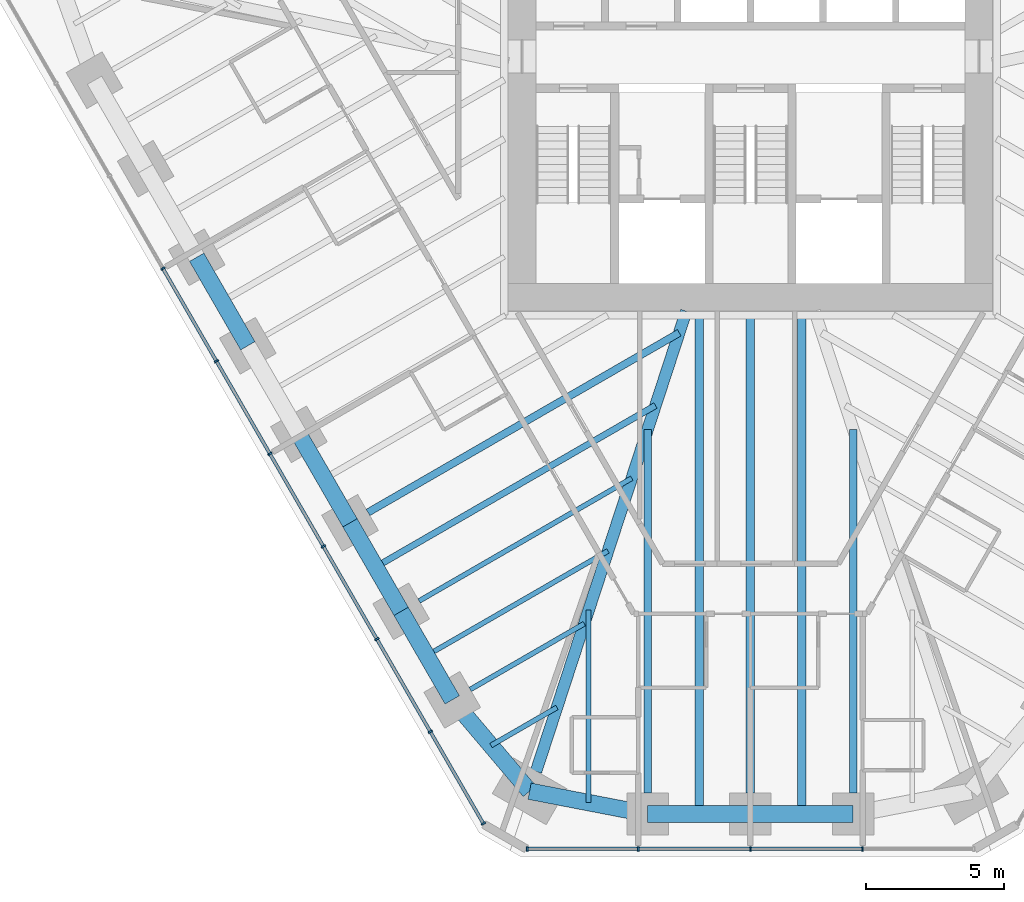
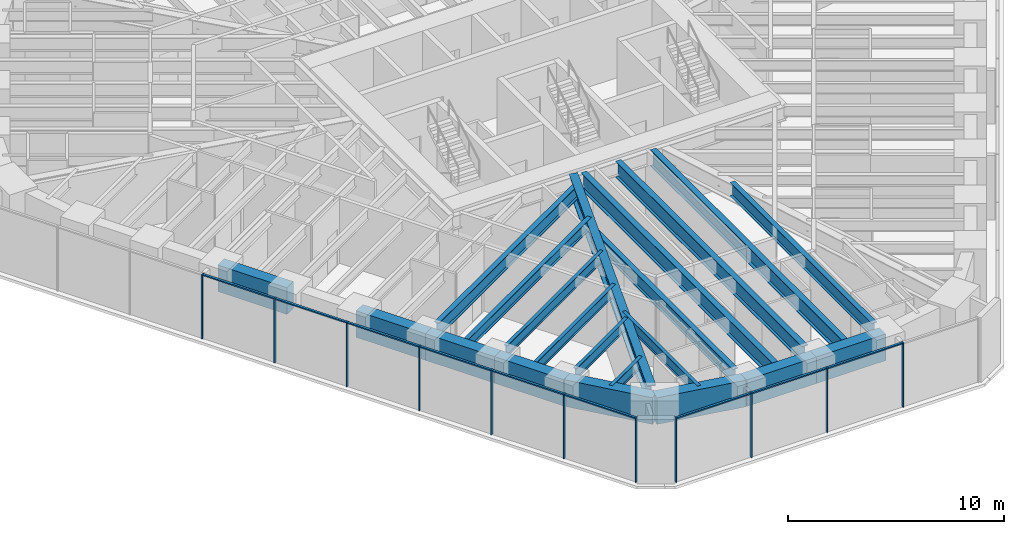
# One storey, part 2 of 17: 21 beams, 20 members, 2 elements without a shape of their own.
"""IFC4 building model written with IfcOpenShell, lengths in metres."""

from ifc_helpers import new_model, si_unit, direction, frame, origin, origin_2d, place, context, subcontext, project, spatial, rectangle, i_section, extrude, material, material_profile, profile_set, type_object, element, aggregate, save


model = new_model("IFC4")

# Units and contexts
model_context = context("Model", 3, precision=1e-05, world=origin(), true_north=direction((0.0, 1.0)))
body_context = subcontext(model_context, "Body", "Model", "MODEL_VIEW")
ifc_project = project(units=[si_unit("LENGTHUNIT", "METRE"), si_unit("AREAUNIT", "SQUARE_METRE"), si_unit("VOLUMEUNIT", "CUBIC_METRE"), si_unit("PLANEANGLEUNIT", "RADIAN"), si_unit("MASSUNIT", "GRAM", prefix="KILO")], contexts=[model_context])

# Site, building, storey
site_placement = place(None, origin())
site = spatial("IfcSite", under=ifc_project, at=site_placement, CompositionType="ELEMENT")
building_placement = place(site_placement, origin())
building = spatial("IfcBuilding", under=site, at=building_placement, Name="Sandreach Pilgrim Tower", CompositionType="ELEMENT")
storey_placement = place(building_placement, frame((0.0, 0.0, 198.39990234375)))
storey = spatial("IfcBuildingStorey", under=building, at=storey_placement, Name="L49", CompositionType="ELEMENT", Elevation=198.39990234375)

# Curtain wall, members
ifc_material_1 = material(Name="Aluminium framed curtain wall", Category="aluminium")
curtain_wall_type = type_object("IfcCurtainWallType", Name="Upper hotel tower curtain wall", PredefinedType="NOTDEFINED", material=ifc_material_1)
curtain_wall_1_placement = place(storey_placement, origin())
curtain_wall_1 = element("IfcCurtainWall", 1, at=curtain_wall_1_placement, inside=storey, type_object=curtain_wall_type, Name="CW-3 L49 S", PredefinedType="NOTDEFINED")
ifc_material_2 = material(Name="Aluminium extrusion", Category="aluminium")
ifc_material_profile_1 = material_profile(ifc_material_2, rectangle(XDim=0.06494140625, YDim=0.159912109375, at=origin_2d()), Name="CW-3M 65X160")
ifc_profile_set_1 = profile_set([ifc_material_profile_1], Name="Aluminium extrusion")
member_type_1 = type_object("IfcMemberType", Name="CW-3 mullion", PredefinedType="MULLION", material=ifc_profile_set_1)
member_1_placement = place(storey_placement, frame((4.048583984375, -26.525146484375, 0.0), z_axis=(0.0, 0.0, 1.0), x_axis=(-1.0, 0.0, 0.0)))
member_1 = element("IfcMember", 2, at=member_1_placement, type_object=member_type_1, Name="CW-3 mullion 2", PredefinedType="MULLION", context=body_context, shape_type="SweptSolid", body=[
    extrude(rectangle(XDim=0.06494140625, YDim=0.159912109375, at=origin_2d()), origin(), (0.0, 0.0, 1.0), 3.64013671875),
])
member_2_placement = place(storey_placement, frame((0.0, -26.525146484375, 0.0), z_axis=(0.0, 0.0, 1.0), x_axis=(-1.0, 0.0, 0.0)))
member_2 = element("IfcMember", 3, at=member_2_placement, type_object=member_type_1, Name="CW-3 mullion 3", PredefinedType="MULLION", context=body_context, shape_type="SweptSolid", body=[
    extrude(rectangle(XDim=0.06494140625, YDim=0.159912109375, at=origin_2d()), origin(), (0.0, 0.0, 1.0), 3.64013671875),
])
member_3_placement = place(storey_placement, frame((-4.048583984375, -26.525146484375, 0.0), z_axis=(0.0, 0.0, 1.0), x_axis=(-1.0, 0.0, 0.0)))
member_3 = element("IfcMember", 4, at=member_3_placement, type_object=member_type_1, Name="CW-3 mullion 4", PredefinedType="MULLION", context=body_context, shape_type="SweptSolid", body=[
    extrude(rectangle(XDim=0.06494140625, YDim=0.159912109375, at=origin_2d()), origin(), (0.0, 0.0, 1.0), 3.64013671875),
])
member_4_placement = place(storey_placement, frame((-8.06494140625, -26.525146484375, 0.0), z_axis=(0.0, 0.0, 1.0), x_axis=(-1.0, 0.0, 0.0)))
member_4 = element("IfcMember", 5, at=member_4_placement, type_object=member_type_1, Name="CW-3 mullion 5", PredefinedType="MULLION", context=body_context, shape_type="SweptSolid", body=[
    extrude(rectangle(XDim=0.06494140625, YDim=0.159912109375, at=origin_2d()), origin(), (0.0, 0.0, 1.0), 3.64013671875),
])

curtain_wall_2_placement = place(storey_placement, origin())
curtain_wall_2 = element("IfcCurtainWall", 6, at=curtain_wall_2_placement, inside=storey, type_object=curtain_wall_type, Name="CW-3 L49 SW", PredefinedType="NOTDEFINED")
member_5_placement = place(storey_placement, frame((-9.646484375, -25.612060546875, 0.0), z_axis=(0.0, 0.0, 1.0), x_axis=(-0.5, 0.866025403784, 0.0)))
member_5 = element("IfcMember", 7, at=member_5_placement, type_object=member_type_1, Name="CW-3 mullion 1", PredefinedType="MULLION", context=body_context, shape_type="SweptSolid", body=[
    extrude(rectangle(XDim=0.06494140625, YDim=0.159912109375, at=origin_2d()), origin(), (0.0, 0.0, 1.0), 3.64013671875),
])
member_6_placement = place(storey_placement, frame((-11.5625, -22.29345703125, 0.0), z_axis=(0.0, 0.0, 1.0), x_axis=(-0.5, 0.866025403784, 0.0)))
member_6 = element("IfcMember", 8, at=member_6_placement, type_object=member_type_1, Name="CW-3 mullion 2", PredefinedType="MULLION", context=body_context, shape_type="SweptSolid", body=[
    extrude(rectangle(XDim=0.06494140625, YDim=0.159912109375, at=origin_2d()), origin(), (0.0, 0.0, 1.0), 3.64013671875),
])
member_7_placement = place(storey_placement, frame((-13.49462890625, -18.94677734375, 0.0), z_axis=(0.0, 0.0, 1.0), x_axis=(-0.5, 0.866025403784, 0.0)))
member_7 = element("IfcMember", 9, at=member_7_placement, type_object=member_type_1, Name="CW-3 mullion 3", PredefinedType="MULLION", context=body_context, shape_type="SweptSolid", body=[
    extrude(rectangle(XDim=0.06494140625, YDim=0.159912109375, at=origin_2d()), origin(), (0.0, 0.0, 1.0), 3.64013671875),
])
member_8_placement = place(storey_placement, frame((-15.4267578125, -15.60009765625, 0.0), z_axis=(0.0, 0.0, 1.0), x_axis=(-0.5, 0.866025403784, 0.0)))
member_8 = element("IfcMember", 10, at=member_8_placement, type_object=member_type_1, Name="CW-3 mullion 4", PredefinedType="MULLION", context=body_context, shape_type="SweptSolid", body=[
    extrude(rectangle(XDim=0.06494140625, YDim=0.159912109375, at=origin_2d()), origin(), (0.0, 0.0, 1.0), 3.64013671875),
])
member_9_placement = place(storey_placement, frame((-17.359130859375, -12.25341796875, 0.0), z_axis=(0.0, 0.0, 1.0), x_axis=(-0.5, 0.866025403784, 0.0)))
member_9 = element("IfcMember", 11, at=member_9_placement, type_object=member_type_1, Name="CW-3 mullion 5", PredefinedType="MULLION", context=body_context, shape_type="SweptSolid", body=[
    extrude(rectangle(XDim=0.06494140625, YDim=0.159912109375, at=origin_2d()), origin(), (0.0, 0.0, 1.0), 3.64013671875),
])
member_10_placement = place(storey_placement, frame((-19.291259765625, -8.90673828125, 0.0), z_axis=(0.0, 0.0, 1.0), x_axis=(-0.5, 0.866025403784, 0.0)))
member_10 = element("IfcMember", 12, at=member_10_placement, type_object=member_type_1, Name="CW-3 mullion 6", PredefinedType="MULLION", context=body_context, shape_type="SweptSolid", body=[
    extrude(rectangle(XDim=0.06494140625, YDim=0.159912109375, at=origin_2d()), origin(), (0.0, 0.0, 1.0), 3.64013671875),
])
member_11_placement = place(storey_placement, frame((-21.223388671875, -5.56005859375, 0.0), z_axis=(0.0, 0.0, 1.0), x_axis=(-0.5, 0.866025403784, 0.0)))
member_11 = element("IfcMember", 13, at=member_11_placement, type_object=member_type_1, Name="CW-3 mullion 7", PredefinedType="MULLION", context=body_context, shape_type="SweptSolid", body=[
    extrude(rectangle(XDim=0.06494140625, YDim=0.159912109375, at=origin_2d()), origin(), (0.0, 0.0, 1.0), 3.64013671875),
])

# Member
ifc_material_3 = material(Name="Aluminium extrusion", Category="aluminium")
ifc_material_profile_2 = material_profile(ifc_material_3, rectangle(XDim=0.1201171875, YDim=0.070068359375, at=origin_2d()), Name="CW-3T 120X70")
ifc_profile_set_2 = profile_set([ifc_material_profile_2], Name="Aluminium extrusion")
member_type_2 = type_object("IfcMemberType", Name="CW-3 transom", PredefinedType="USERDEFINED", material=ifc_profile_set_2)
member_12_placement = place(storey_placement, frame((4.01611328125, -26.525146484375, 3.60498046875), z_axis=(-1.0, 0.0, 0.0), x_axis=(0.0, -1.0, 0.0)))
member_12 = element("IfcMember", 14, at=member_12_placement, type_object=member_type_2, Name="CW-3 head transom 2", ObjectType="TRANSOM", PredefinedType="USERDEFINED", context=body_context, shape_type="SweptSolid", body=[
    extrude(rectangle(XDim=0.1201171875, YDim=0.070068359375, at=origin_2d()), origin(), (0.0, 0.0, 1.0), 3.983642578125),
])

member_13_placement = place(storey_placement, frame((-0.032470703125, -26.525146484375, 3.60498046875), z_axis=(-1.0, 0.0, 0.0), x_axis=(0.0, -1.0, 0.0)))
member_13 = element("IfcMember", 15, at=member_13_placement, type_object=member_type_2, Name="CW-3 head transom 3", ObjectType="TRANSOM", PredefinedType="USERDEFINED", context=body_context, shape_type="SweptSolid", body=[
    extrude(rectangle(XDim=0.1201171875, YDim=0.070068359375, at=origin_2d()), origin(), (0.0, 0.0, 1.0), 3.983642578125),
])

member_14_placement = place(storey_placement, frame((-4.081298828125, -26.525146484375, 3.60498046875), z_axis=(-1.0, 0.0, 0.0), x_axis=(0.0, -1.0, 0.0)))
member_14 = element("IfcMember", 16, at=member_14_placement, type_object=member_type_2, Name="CW-3 head transom 4", ObjectType="TRANSOM", PredefinedType="USERDEFINED", context=body_context, shape_type="SweptSolid", body=[
    extrude(rectangle(XDim=0.1201171875, YDim=0.070068359375, at=origin_2d()), origin(), (0.0, 0.0, 1.0), 3.951171875),
])

aggregate(curtain_wall_1, [member_1, member_2, member_3, member_4, member_12, member_13, member_14])

member_15_placement = place(storey_placement, frame((-9.662841796875, -25.583740234375, 3.60498046875), z_axis=(-0.499973055223, 0.8660409598, 0.0), x_axis=(-0.8660409598, -0.499973055223, 0.0)))
member_15 = element("IfcMember", 17, at=member_15_placement, type_object=member_type_2, Name="CW-3 head transom 1", ObjectType="TRANSOM", PredefinedType="USERDEFINED", context=body_context, shape_type="SweptSolid", body=[
    extrude(rectangle(XDim=0.1201171875, YDim=0.070068359375, at=origin_2d()), origin(), (0.0, 0.0, 1.0), 3.766845703125),
])

member_16_placement = place(storey_placement, frame((-11.57861328125, -22.265380859375, 3.60498046875), z_axis=(-0.500022797313, 0.86601224135, 0.0), x_axis=(-0.86601224135, -0.500022797313, 0.0)))
member_16 = element("IfcMember", 18, at=member_16_placement, type_object=member_type_2, Name="CW-3 head transom 2", ObjectType="TRANSOM", PredefinedType="USERDEFINED", context=body_context, shape_type="SweptSolid", body=[
    extrude(rectangle(XDim=0.1201171875, YDim=0.070068359375, at=origin_2d()), origin(), (0.0, 0.0, 1.0), 3.799560546875),
])

member_17_placement = place(storey_placement, frame((-13.510986328125, -18.918701171875, 3.60498046875), z_axis=(-0.499974606132, 0.866040064445, 0.0), x_axis=(-0.866040064445, -0.499974606132, 0.0)))
member_17 = element("IfcMember", 19, at=member_17_placement, type_object=member_type_2, Name="CW-3 head transom 3", ObjectType="TRANSOM", PredefinedType="USERDEFINED", context=body_context, shape_type="SweptSolid", body=[
    extrude(rectangle(XDim=0.1201171875, YDim=0.070068359375, at=origin_2d()), origin(), (0.0, 0.0, 1.0), 3.799560546875),
])

member_18_placement = place(storey_placement, frame((-15.443115234375, -15.572021484375, 3.60498046875), z_axis=(-0.499974606132, 0.866040064445, 0.0), x_axis=(-0.866040064445, -0.499974606132, 0.0)))
member_18 = element("IfcMember", 20, at=member_18_placement, type_object=member_type_2, Name="CW-3 head transom 4", ObjectType="TRANSOM", PredefinedType="USERDEFINED", context=body_context, shape_type="SweptSolid", body=[
    extrude(rectangle(XDim=0.1201171875, YDim=0.070068359375, at=origin_2d()), origin(), (0.0, 0.0, 1.0), 3.799560546875),
])

member_19_placement = place(storey_placement, frame((-17.375244140625, -12.225341796875, 3.60498046875), z_axis=(-0.500022797313, 0.86601224135, 0.0), x_axis=(-0.86601224135, -0.500022797313, 0.0)))
member_19 = element("IfcMember", 21, at=member_19_placement, type_object=member_type_2, Name="CW-3 head transom 5", ObjectType="TRANSOM", PredefinedType="USERDEFINED", context=body_context, shape_type="SweptSolid", body=[
    extrude(rectangle(XDim=0.1201171875, YDim=0.070068359375, at=origin_2d()), origin(), (0.0, 0.0, 1.0), 3.799560546875),
])

member_20_placement = place(storey_placement, frame((-19.3076171875, -8.878662109375, 3.60498046875), z_axis=(-0.499974606132, 0.866040064445, 0.0), x_axis=(-0.866040064445, -0.499974606132, 0.0)))
member_20 = element("IfcMember", 22, at=member_20_placement, type_object=member_type_2, Name="CW-3 head transom 6", ObjectType="TRANSOM", PredefinedType="USERDEFINED", context=body_context, shape_type="SweptSolid", body=[
    extrude(rectangle(XDim=0.1201171875, YDim=0.070068359375, at=origin_2d()), origin(), (0.0, 0.0, 1.0), 3.799560546875),
])

aggregate(curtain_wall_2, [member_5, member_6, member_7, member_8, member_9, member_10, member_11, member_15, member_16, member_17, member_18, member_19, member_20])

# Beams
ifc_material_4 = material(Name="Steel ASTM A992 Grade 50", Category="steel")
ifc_material_profile_3 = material_profile(ifc_material_4, i_section(OverallWidth=0.421630859375, OverallDepth=0.95751953125, WebThickness=0.02587890625, FlangeThickness=0.046875, at=origin_2d()), Name="W36X330")
ifc_profile_set_3 = profile_set([ifc_material_profile_3], Name="Steel ASTM A992 Grade 50")
beam_type_1 = type_object("IfcBeamType", Name="Corner girder W36X330", PredefinedType="BEAM", material=ifc_profile_set_3)
beam_1_placement = place(storey_placement, frame((-7.745849609375, -23.72900390625, 3.161376953125), z_axis=(0.310317870968, 0.950632851819, 0.0), x_axis=(-0.950632851819, 0.310317870968, 0.0)))
element("IfcBeam", 23, at=beam_1_placement, inside=storey, type_object=beam_type_1, Name="BM L49 CG26", PredefinedType="BEAM", context=body_context, shape_type="SweptSolid", body=[
    extrude(i_section(OverallWidth=0.421630859375, OverallDepth=0.95751953125, WebThickness=0.02587890625, FlangeThickness=0.046875, at=origin_2d()), origin(), (0.0, 0.0, 1.0), 17.492431640625),
])
ifc_material_5 = material(Name="Steel ASTM A992 Grade 50", Category="steel")
ifc_material_profile_4 = material_profile(ifc_material_5, i_section(OverallWidth=0.1787109375, OverallDepth=0.60205078125, WebThickness=0.010986328125, FlangeThickness=0.014892578125, at=origin_2d()), Name="W24X62")
ifc_profile_set_4 = profile_set([ifc_material_profile_4], Name="Steel ASTM A992 Grade 50")
beam_type_2 = type_object("IfcBeamType", Name="Floor beam W24X62", PredefinedType="BEAM", material=ifc_profile_set_4)
beam_2_placement = place(storey_placement, frame((-10.12255859375, -20.767333984375, 3.339111328125), z_axis=(0.86603347311, 0.499986023258, 0.0), x_axis=(-0.499986023258, 0.86603347311, 0.0)))
element("IfcBeam", 24, at=beam_2_placement, inside=storey, type_object=beam_type_2, Name="BM L49 F27", PredefinedType="BEAM", context=body_context, shape_type="SweptSolid", body=[
    extrude(i_section(OverallWidth=0.1787109375, OverallDepth=0.60205078125, WebThickness=0.010986328125, FlangeThickness=0.014892578125, at=origin_2d()), origin(), (0.0, 0.0, 1.0), 4.757568359375),
])
beam_3_placement = place(storey_placement, frame((-11.96875, -17.569580078125, 3.339111328125), z_axis=(0.866020566617, 0.500008378126, 0.0), x_axis=(-0.500008378126, 0.866020566617, 0.0)))
element("IfcBeam", 25, at=beam_3_placement, inside=storey, type_object=beam_type_2, Name="BM L49 F28", PredefinedType="BEAM", context=body_context, shape_type="SweptSolid", body=[
    extrude(i_section(OverallWidth=0.1787109375, OverallDepth=0.60205078125, WebThickness=0.010986328125, FlangeThickness=0.014892578125, at=origin_2d()), origin(), (0.0, 0.0, 1.0), 8.869384765625),
])
beam_4_placement = place(storey_placement, frame((-5.844482421875, -24.853515625, 3.339111328125), z_axis=(0.0, 1.0, 0.0), x_axis=(-1.0, 0.0, 0.0)))
element("IfcBeam", 26, at=beam_4_placement, inside=storey, type_object=beam_type_2, Name="BM L49 FM25", PredefinedType="BEAM", context=body_context, shape_type="SweptSolid", body=[
    extrude(i_section(OverallWidth=0.1787109375, OverallDepth=0.60205078125, WebThickness=0.010986328125, FlangeThickness=0.014892578125, at=origin_2d()), origin(), (0.0, 0.0, 1.0), 6.94921875),
])
beam_5_placement = place(storey_placement, frame((-9.375244140625, -22.7919921875, 3.339111328125), z_axis=(0.866046803606, 0.49996293259, 0.0), x_axis=(-0.49996293259, 0.866046803606, 0.0)))
element("IfcBeam", 27, at=beam_5_placement, inside=storey, type_object=beam_type_2, Name="BM L49 FM26", PredefinedType="BEAM", context=body_context, shape_type="SweptSolid", body=[
    extrude(i_section(OverallWidth=0.1787109375, OverallDepth=0.60205078125, WebThickness=0.010986328125, FlangeThickness=0.014892578125, at=origin_2d()), origin(), (0.0, 0.0, 1.0), 2.753662109375),
])
beam_6_placement = place(storey_placement, frame((-11.6953125, -19.54345703125, 3.339111328125), z_axis=(0.866029704776, 0.49999255039, 0.0), x_axis=(-0.49999255039, 0.866029704776, 0.0)))
element("IfcBeam", 28, at=beam_6_placement, inside=storey, type_object=beam_type_2, Name="BM L49 FM27", PredefinedType="BEAM", context=body_context, shape_type="SweptSolid", body=[
    extrude(i_section(OverallWidth=0.1787109375, OverallDepth=0.60205078125, WebThickness=0.010986328125, FlangeThickness=0.014892578125, at=origin_2d()), origin(), (0.0, 0.0, 1.0), 7.5634765625),
])
ifc_material_6 = material(Name="Steel ASTM A992 Grade 50", Category="steel")
ifc_material_profile_5 = material_profile(ifc_material_6, i_section(OverallWidth=0.23046875, OverallDepth=0.6171875, WebThickness=0.01318359375, FlangeThickness=0.022216796875, at=origin_2d()), Name="W24X94")
ifc_profile_set_5 = profile_set([ifc_material_profile_5], Name="Steel ASTM A992 Grade 50")
beam_type_3 = type_object("IfcBeamType", Name="Floor beam W24X94", PredefinedType="BEAM", material=ifc_profile_set_5)
beam_7_placement = place(storey_placement, frame((-13.54150390625, -16.345703125, 3.33154296875), z_axis=(0.866026454974, 0.499998179282, 0.0), x_axis=(-0.499998179282, 0.866026454974, 0.0)))
element("IfcBeam", 29, at=beam_7_placement, inside=storey, type_object=beam_type_3, Name="BM L49 FM28", PredefinedType="BEAM", context=body_context, shape_type="SweptSolid", body=[
    extrude(i_section(OverallWidth=0.23046875, OverallDepth=0.6171875, WebThickness=0.01318359375, FlangeThickness=0.022216796875, at=origin_2d()), origin(), (0.0, 0.0, 1.0), 11.67578125),
])
ifc_material_7 = material(Name="Steel ASTM A992 Grade 50", Category="steel")
ifc_material_profile_6 = material_profile(ifc_material_7, i_section(OverallWidth=0.2666015625, OverallDepth=0.761962890625, WebThickness=0.014404296875, FlangeThickness=0.021484375, at=origin_2d()), Name="W30X116")
ifc_profile_set_6 = profile_set([ifc_material_profile_6], Name="Steel ASTM A992 Grade 50")
beam_type_4 = type_object("IfcBeamType", Name="Floor beam W30X116", PredefinedType="BEAM", material=ifc_profile_set_6)
for number, where, z_axis, x_axis, name in (
    (30, (3.71044921875, -24.51513671875, 3.259033203125), (0.0, 1.0, 0.0), (-1.0, 0.0, 0.0), "BM L49 F23"),
    (31, (-3.71044921875, -24.51513671875, 3.259033203125), (0.0, 1.0, 0.0), (-1.0, 0.0, 0.0), "BM L49 F25"),
):
    element("IfcBeam", number, at=place(storey_placement, frame(where, z_axis=z_axis, x_axis=x_axis)), inside=storey, type_object=beam_type_4, Name=name, PredefinedType="BEAM", context=body_context, shape_type="SweptSolid", body=[
        extrude(i_section(OverallWidth=0.2666015625, OverallDepth=0.761962890625, WebThickness=0.014404296875, FlangeThickness=0.021484375, at=origin_2d()), origin(), (0.0, 0.0, 1.0), 13.1484375),
    ])
beam_8_placement = place(storey_placement, frame((-13.815185546875, -14.371826171875, 3.259033203125), z_axis=(0.866025240073, 0.500000283557, 0.0), x_axis=(-0.500000283557, 0.866025240073, 0.0)))
element("IfcBeam", 32, at=beam_8_placement, inside=storey, type_object=beam_type_4, Name="BM L49 F29", PredefinedType="BEAM", context=body_context, shape_type="SweptSolid", body=[
    extrude(i_section(OverallWidth=0.2666015625, OverallDepth=0.761962890625, WebThickness=0.014404296875, FlangeThickness=0.021484375, at=origin_2d()), origin(), (0.0, 0.0, 1.0), 12.98193359375),
])
ifc_material_8 = material(Name="Steel ASTM A992 Grade 50", Category="steel")
ifc_material_profile_7 = material_profile(ifc_material_8, i_section(OverallWidth=0.3046875, OverallDepth=0.914306640625, WebThickness=0.0166015625, FlangeThickness=0.02587890625, at=origin_2d()), Name="W36X160")
ifc_profile_set_7 = profile_set([ifc_material_profile_7], Name="Steel ASTM A992 Grade 50")
beam_type_5 = type_object("IfcBeamType", Name="Floor beam W36X160", PredefinedType="BEAM", material=ifc_profile_set_7)
beam_9_placement = place(storey_placement, frame((0.0, -24.51513671875, 3.182861328125), z_axis=(0.0, 1.0, 0.0), x_axis=(-1.0, 0.0, 0.0)))
element("IfcBeam", 33, at=beam_9_placement, inside=storey, type_object=beam_type_5, Name="BM L49 F24", PredefinedType="BEAM", context=body_context, shape_type="SweptSolid", body=[
    extrude(i_section(OverallWidth=0.3046875, OverallDepth=0.914306640625, WebThickness=0.0166015625, FlangeThickness=0.02587890625, at=origin_2d()), origin(), (0.0, 0.0, 1.0), 17.271728515625),
])
for number, where, z_axis, x_axis, name in (
    (34, (1.855224609375, -25.26513671875, 3.182861328125), (0.0, 1.0, 0.0), (-1.0, 0.0, 0.0), "BM L49 FM23"),
    (35, (-1.855224609375, -25.26513671875, 3.182861328125), (0.0, 1.0, 0.0), (-1.0, 0.0, 0.0), "BM L49 FM24"),
):
    element("IfcBeam", number, at=place(storey_placement, frame(where, z_axis=z_axis, x_axis=x_axis)), inside=storey, type_object=beam_type_5, Name=name, PredefinedType="BEAM", context=body_context, shape_type="SweptSolid", body=[
        extrude(i_section(OverallWidth=0.3046875, OverallDepth=0.914306640625, WebThickness=0.0166015625, FlangeThickness=0.02587890625, at=origin_2d()), origin(), (0.0, 0.0, 1.0), 18.021728515625),
    ])
ifc_material_9 = material(Name="Concrete 10000 psi", Category="concrete")
ifc_material_profile_8 = material_profile(ifc_material_9, rectangle(XDim=0.60009765625, YDim=1.5, at=origin_2d()), Name="RC600X1500")
ifc_profile_set_8 = profile_set([ifc_material_profile_8], Name="Concrete 10000 psi")
beam_type_6 = type_object("IfcBeamType", Name="Spandrel beam RC600X1500", PredefinedType="SPANDREL", material=ifc_profile_set_8)
for number, where, z_axis, x_axis, name in (
    (36, (3.71044921875, -25.26513671875, 2.89013671875), (-1.0, 0.0, 0.0), (0.0, -1.0, 0.0), "BM L49 SP23"),
    (37, (0.0, -25.26513671875, 2.89013671875), (-1.0, 0.0, 0.0), (0.0, -1.0, 0.0), "BM L49 SP24"),
):
    element("IfcBeam", number, at=place(storey_placement, frame(where, z_axis=z_axis, x_axis=x_axis)), inside=storey, type_object=beam_type_6, Name=name, PredefinedType="SPANDREL", context=body_context, shape_type="SweptSolid", body=[
        extrude(rectangle(XDim=0.60009765625, YDim=1.5, at=origin_2d()), origin(), (0.0, 0.0, 1.0), 3.71044921875),
    ])
beam_10_placement = place(storey_placement, frame((-3.71044921875, -25.26513671875, 2.89013671875), z_axis=(-0.981901333807, 0.18939316426, 0.0), x_axis=(-0.18939316426, -0.981901333807, 0.0)))
element("IfcBeam", 38, at=beam_10_placement, inside=storey, type_object=beam_type_6, Name="BM L49 SP25", PredefinedType="SPANDREL", context=body_context, shape_type="SweptSolid", body=[
    extrude(rectangle(XDim=0.60009765625, YDim=1.5, at=origin_2d()), origin(), (0.0, 0.0, 1.0), 4.3466796875),
])
beam_11_placement = place(storey_placement, frame((-7.978515625, -24.44189453125, 2.89013671875), z_axis=(-0.646180160755, 0.76318490541, 0.0), x_axis=(-0.76318490541, -0.646180160755, 0.0)))
element("IfcBeam", 39, at=beam_11_placement, inside=storey, type_object=beam_type_6, Name="BM L49 SP26", PredefinedType="SPANDREL", context=body_context, shape_type="SweptSolid", body=[
    extrude(rectangle(XDim=0.60009765625, YDim=1.5, at=origin_2d()), origin(), (0.0, 0.0, 1.0), 4.323486328125),
])
for number, where, z_axis, x_axis, name in (
    (40, (-10.772216796875, -21.142333984375, 2.89013671875), (-0.499993363642, 0.866029235253, 0.0), (-0.866029235253, -0.499993363642, 0.0), "BM L49 SP27"),
    (41, (-12.618408203125, -17.944580078125, 2.89013671875), (-0.499993363642, 0.866029235253, 0.0), (-0.866029235253, -0.499993363642, 0.0), "BM L49 SP28"),
):
    element("IfcBeam", number, at=place(storey_placement, frame(where, z_axis=z_axis, x_axis=x_axis)), inside=storey, type_object=beam_type_6, Name=name, PredefinedType="SPANDREL", context=body_context, shape_type="SweptSolid", body=[
        extrude(rectangle(XDim=0.60009765625, YDim=1.5, at=origin_2d()), origin(), (0.0, 0.0, 1.0), 3.6923828125),
    ])
beam_12_placement = place(storey_placement, frame((-14.464599609375, -14.746826171875, 2.89013671875), z_axis=(-0.49996473481, 0.866045763194, 0.0), x_axis=(-0.866045763194, -0.49996473481, 0.0)))
element("IfcBeam", 42, at=beam_12_placement, inside=storey, type_object=beam_type_6, Name="BM L49 SP29", PredefinedType="SPANDREL", context=body_context, shape_type="SweptSolid", body=[
    extrude(rectangle(XDim=0.60009765625, YDim=1.5, at=origin_2d()), origin(), (0.0, 0.0, 1.0), 3.692626953125),
])
beam_13_placement = place(storey_placement, frame((-18.1572265625, -8.35107421875, 2.89013671875), z_axis=(-0.499993363642, 0.866029235253, 0.0), x_axis=(-0.866029235253, -0.499993363642, 0.0)))
element("IfcBeam", 43, at=beam_13_placement, inside=storey, type_object=beam_type_6, Name="BM L49 SP31", PredefinedType="SPANDREL", context=body_context, shape_type="SweptSolid", body=[
    extrude(rectangle(XDim=0.60009765625, YDim=1.5, at=origin_2d()), origin(), (0.0, 0.0, 1.0), 3.6923828125),
])

save(model, "model.ifc")
